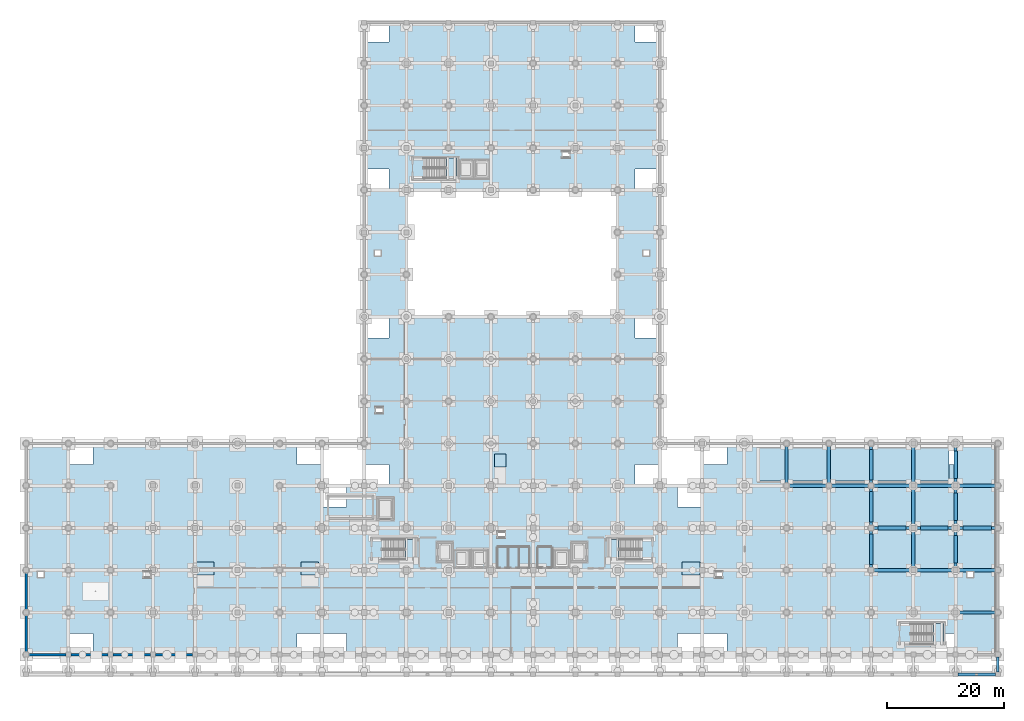
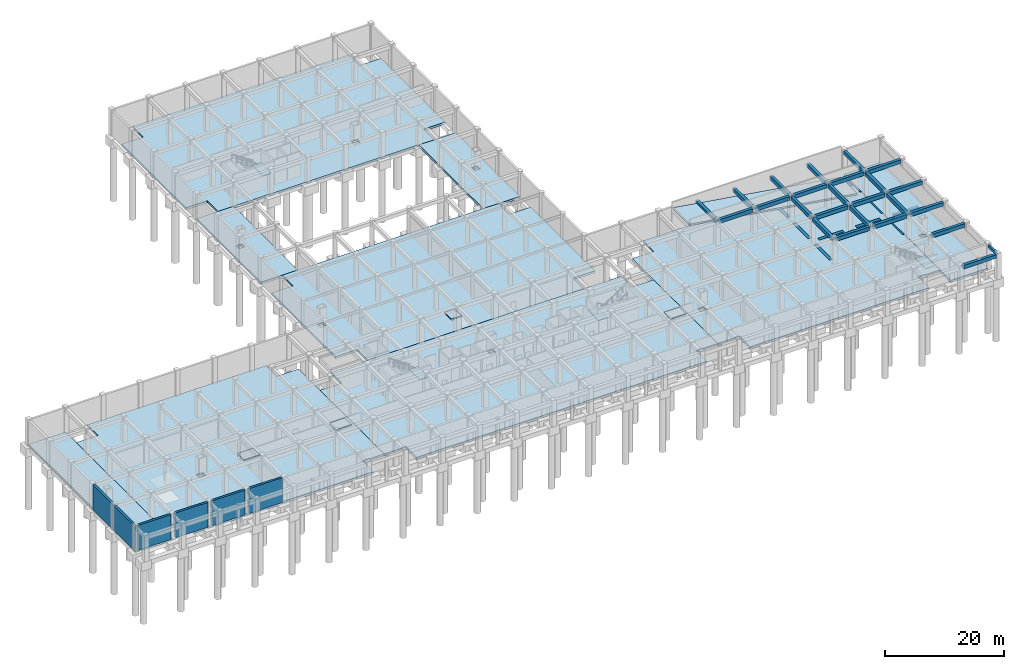
# One storey, part 12 of 26: 34 beams, 18 slabs, 6 walls, 4 elements without a shape of their own.
"""IFC4 building model written with IfcOpenShell, lengths in metres."""

from ifc_helpers import new_model, si_unit, direction, frame, frame_2d, origin, origin_2d, place, context, subcontext, project, spatial, polyline, rectangle, outline, extrude, material, layer, layer_set, material_profile, profile_set, type_object, element, aggregate, save


model = new_model("IFC4")

# Units and contexts
model_context = context("Model", 3, precision=1e-05, world=origin(), true_north=direction((0.0, 1.0)))
body_context = subcontext(model_context, "Body", "Model", "MODEL_VIEW")
ifc_project = project(units=[si_unit("LENGTHUNIT", "METRE"), si_unit("AREAUNIT", "SQUARE_METRE"), si_unit("VOLUMEUNIT", "CUBIC_METRE"), si_unit("PLANEANGLEUNIT", "RADIAN"), si_unit("MASSUNIT", "GRAM", prefix="KILO")], contexts=[model_context])

# Site, building, storey
site_placement = place(None, origin())
site = spatial("IfcSite", under=ifc_project, at=site_placement, CompositionType="ELEMENT")
building_placement = place(site_placement, origin())
building = spatial("IfcBuilding", under=site, at=building_placement, Name="Kazehaya Institute of Natural Sciences", CompositionType="ELEMENT")
storey_placement = place(building_placement, frame((0.0, 0.0, -5.39990234375)))
storey = spatial("IfcBuildingStorey", under=building, at=storey_placement, Name="B1", CompositionType="ELEMENT", Elevation=-5.39990234375)

# Beams
ifc_material_1 = material(Name="Concrete Fc36", Category="concrete")
ifc_material_profile_1 = material_profile(ifc_material_1, rectangle(XDim=0.39990234375, YDim=0.60009765625, at=origin_2d()), Name="RC-400x600")
ifc_profile_set_1 = profile_set([ifc_material_profile_1], Name="Concrete Fc36")
beam_type_1 = type_object("IfcBeamType", Name="BM-B-400x600", PredefinedType="BEAM", material=ifc_profile_set_1)
beam_1_placement = place(storey_placement, frame((169.800048828125, 3.875, 4.81982421875), z_axis=(0.0, 1.0, 0.0), x_axis=(-1.0, 0.0, 0.0)))
element("IfcBeam", 1, at=beam_1_placement, inside=storey, type_object=beam_type_1, Name="B1 primary Y girder BMY-B1-1698-34", PredefinedType="BEAM", context=body_context, shape_type="SweptSolid", body=[
    extrude(rectangle(XDim=0.39990234375, YDim=0.60009765625, at=origin_2d()), origin(), (0.0, 0.0, 1.0), 2.5),
])
ifc_material_profile_2 = material_profile(ifc_material_1, rectangle(XDim=0.550048828125, YDim=0.75, at=origin_2d()), Name="RC-550x750")
ifc_profile_set_2 = profile_set([ifc_material_profile_2], Name="Concrete Fc36")
beam_type_2 = type_object("IfcBeamType", Name="BM-G-550x750", PredefinedType="BEAM", material=ifc_profile_set_2)
for number, where, z_axis, x_axis, name in (
    (2, (163.02490234375, 3.449951171875, 4.744873046875), (1.0, 0.0, 0.0), (0.0, 1.0, 0.0), "B1 primary X girder BMX-B1-1626-34"),
    (3, (163.02490234375, 14.0, 4.744873046875), (1.0, 0.0, 0.0), (0.0, 1.0, 0.0), "B1 primary X girder BMX-B1-1626-140"),
    (4, (148.625, 21.199951171875, 4.744873046875), (1.0, 0.0, 0.0), (0.0, 1.0, 0.0), "B1 primary X girder BMX-B1-1482-212"),
    (5, (155.824951171875, 21.199951171875, 4.744873046875), (1.0, 0.0, 0.0), (0.0, 1.0, 0.0), "B1 primary X girder BMX-B1-1554-212"),
    (6, (163.02490234375, 21.199951171875, 4.744873046875), (1.0, 0.0, 0.0), (0.0, 1.0, 0.0), "B1 primary X girder BMX-B1-1626-212"),
    (7, (148.625, 28.39990234375, 4.744873046875), (1.0, 0.0, 0.0), (0.0, 1.0, 0.0), "B1 primary X girder BMX-B1-1482-284"),
    (8, (155.824951171875, 28.39990234375, 4.744873046875), (1.0, 0.0, 0.0), (0.0, 1.0, 0.0), "B1 primary X girder BMX-B1-1554-284"),
    (9, (163.02490234375, 28.39990234375, 4.744873046875), (1.0, 0.0, 0.0), (0.0, 1.0, 0.0), "B1 primary X girder BMX-B1-1626-284"),
):
    element("IfcBeam", number, at=place(storey_placement, frame(where, z_axis=z_axis, x_axis=x_axis)), inside=storey, type_object=beam_type_2, Name=name, PredefinedType="BEAM", context=body_context, shape_type="SweptSolid", body=[
        extrude(rectangle(XDim=0.550048828125, YDim=0.75, at=origin_2d()), origin(), (0.0, 0.0, 1.0), 6.35009765625),
    ])
for number, where, z_axis, x_axis, name in (
    (10, (134.22509765625, 35.60009765625, 4.744873046875), (1.0, 0.0, 0.0), (0.0, 1.0, 0.0), "B1 primary X girder BMX-B1-1338-356"),
    (11, (141.425048828125, 35.60009765625, 4.744873046875), (1.0, 0.0, 0.0), (0.0, 1.0, 0.0), "B1 primary X girder BMX-B1-1410-356"),
):
    element("IfcBeam", number, at=place(storey_placement, frame(where, z_axis=z_axis, x_axis=x_axis)), inside=storey, type_object=beam_type_2, Name=name, PredefinedType="BEAM", context=body_context, shape_type="SweptSolid", body=[
        extrude(rectangle(XDim=0.550048828125, YDim=0.75, at=origin_2d()), origin(), (0.0, 0.0, 1.0), 6.349853515625),
    ])
for number, where, z_axis, x_axis, name in (
    (12, (148.625, 35.60009765625, 4.744873046875), (1.0, 0.0, 0.0), (0.0, 1.0, 0.0), "B1 primary X girder BMX-B1-1482-356"),
    (13, (155.824951171875, 35.60009765625, 4.744873046875), (1.0, 0.0, 0.0), (0.0, 1.0, 0.0), "B1 primary X girder BMX-B1-1554-356"),
    (14, (163.02490234375, 35.60009765625, 4.744873046875), (1.0, 0.0, 0.0), (0.0, 1.0, 0.0), "B1 primary X girder BMX-B1-1626-356"),
    (15, (133.800048828125, 36.02490234375, 4.744873046875), (0.0, 1.0, 0.0), (-1.0, 0.0, 0.0), "B1 primary Y girder BMY-B1-1338-356"),
    (16, (141.0, 36.02490234375, 4.744873046875), (0.0, 1.0, 0.0), (-1.0, 0.0, 0.0), "B1 primary Y girder BMY-B1-1410-356"),
    (17, (148.199951171875, 21.625, 4.744873046875), (0.0, 1.0, 0.0), (-1.0, 0.0, 0.0), "B1 primary Y girder BMY-B1-1482-212"),
    (18, (148.199951171875, 28.824951171875, 4.744873046875), (0.0, 1.0, 0.0), (-1.0, 0.0, 0.0), "B1 primary Y girder BMY-B1-1482-284"),
    (19, (148.199951171875, 36.02490234375, 4.744873046875), (0.0, 1.0, 0.0), (-1.0, 0.0, 0.0), "B1 primary Y girder BMY-B1-1482-356"),
    (20, (155.39990234375, 21.625, 4.744873046875), (0.0, 1.0, 0.0), (-1.0, 0.0, 0.0), "B1 primary Y girder BMY-B1-1554-212"),
    (21, (155.39990234375, 28.824951171875, 4.744873046875), (0.0, 1.0, 0.0), (-1.0, 0.0, 0.0), "B1 primary Y girder BMY-B1-1554-284"),
    (22, (155.39990234375, 36.02490234375, 4.744873046875), (0.0, 1.0, 0.0), (-1.0, 0.0, 0.0), "B1 primary Y girder BMY-B1-1554-356"),
    (23, (162.60009765625, 21.625, 4.744873046875), (0.0, 1.0, 0.0), (-1.0, 0.0, 0.0), "B1 primary Y girder BMY-B1-1626-212"),
    (24, (162.60009765625, 28.824951171875, 4.744873046875), (0.0, 1.0, 0.0), (-1.0, 0.0, 0.0), "B1 primary Y girder BMY-B1-1626-284"),
    (25, (162.60009765625, 36.02490234375, 4.744873046875), (0.0, 1.0, 0.0), (-1.0, 0.0, 0.0), "B1 primary Y girder BMY-B1-1626-356"),
):
    element("IfcBeam", number, at=place(storey_placement, frame(where, z_axis=z_axis, x_axis=x_axis)), inside=storey, type_object=beam_type_2, Name=name, PredefinedType="BEAM", context=body_context, shape_type="SweptSolid", body=[
        extrude(rectangle(XDim=0.550048828125, YDim=0.75, at=origin_2d()), origin(), (0.0, 0.0, 1.0), 6.35009765625),
    ])
ifc_material_profile_3 = material_profile(ifc_material_1, rectangle(XDim=0.60009765625, YDim=0.89990234375, at=origin_2d()), Name="RC-600x900")
ifc_profile_set_3 = profile_set([ifc_material_profile_3], Name="Concrete Fc36")
beam_type_3 = type_object("IfcBeamType", Name="BM-TB-600x900", PredefinedType="T_BEAM", material=ifc_profile_set_3)
beam_2_placement = place(storey_placement, frame((149.35009765625, 28.39990234375, -0.4501953125), z_axis=(1.0, 0.0, 0.0), x_axis=(0.0, 1.0, 0.0)))
element("IfcBeam", 26, at=beam_2_placement, inside=storey, type_object=beam_type_3, Name="Foundation tie beam TB-X-021", PredefinedType="T_BEAM", context=body_context, shape_type="SweptSolid", body=[
    extrude(rectangle(XDim=0.60009765625, YDim=0.89990234375, at=origin_2d()), origin(), (0.0, 0.0, 1.0), 4.7998046875),
])
beam_3_placement = place(storey_placement, frame((156.64990234375, 28.39990234375, -0.4501953125), z_axis=(1.0, 0.0, 0.0), x_axis=(0.0, 1.0, 0.0)))
element("IfcBeam", 27, at=beam_3_placement, inside=storey, type_object=beam_type_3, Name="Foundation tie beam TB-X-022", PredefinedType="T_BEAM", context=body_context, shape_type="SweptSolid", body=[
    extrude(rectangle(XDim=0.60009765625, YDim=0.89990234375, at=origin_2d()), origin(), (0.0, 0.0, 1.0), 4.675048828125),
])
beam_4_placement = place(storey_placement, frame((163.875, 28.39990234375, -0.4501953125), z_axis=(1.0, 0.0, 0.0), x_axis=(0.0, 1.0, 0.0)))
element("IfcBeam", 28, at=beam_4_placement, inside=storey, type_object=beam_type_3, Name="Foundation tie beam TB-X-023", PredefinedType="T_BEAM", context=body_context, shape_type="SweptSolid", body=[
    extrude(rectangle(XDim=0.60009765625, YDim=0.89990234375, at=origin_2d()), origin(), (0.0, 0.0, 1.0), 4.875),
])
beam_5_placement = place(storey_placement, frame((148.199951171875, 22.199951171875, -0.4501953125), z_axis=(0.0, 1.0, 0.0), x_axis=(-1.0, 0.0, 0.0)))
element("IfcBeam", 29, at=beam_5_placement, inside=storey, type_object=beam_type_3, Name="Foundation tie beam TB-Y-071", PredefinedType="T_BEAM", context=body_context, shape_type="SweptSolid", body=[
    extrude(rectangle(XDim=0.60009765625, YDim=0.89990234375, at=origin_2d()), origin(), (0.0, 0.0, 1.0), 5.199951171875),
])
beam_6_placement = place(storey_placement, frame((148.199951171875, 29.39990234375, -0.4501953125), z_axis=(0.0, 1.0, 0.0), x_axis=(-1.0, 0.0, 0.0)))
element("IfcBeam", 30, at=beam_6_placement, inside=storey, type_object=beam_type_3, Name="Foundation tie beam TB-Y-072", PredefinedType="T_BEAM", context=body_context, shape_type="SweptSolid", body=[
    extrude(rectangle(XDim=0.60009765625, YDim=0.89990234375, at=origin_2d()), origin(), (0.0, 0.0, 1.0), 5.2001953125),
])
beam_7_placement = place(storey_placement, frame((148.199951171875, 36.60009765625, -0.4501953125), z_axis=(0.0, 1.0, 0.0), x_axis=(-1.0, 0.0, 0.0)))
element("IfcBeam", 31, at=beam_7_placement, inside=storey, type_object=beam_type_3, Name="Foundation tie beam TB-Y-073", PredefinedType="T_BEAM", context=body_context, shape_type="SweptSolid", body=[
    extrude(rectangle(XDim=0.60009765625, YDim=0.89990234375, at=origin_2d()), origin(), (0.0, 0.0, 1.0), 5.199951171875),
])
for number, where, z_axis, x_axis, name in (
    (32, (162.60009765625, 22.47509765625, -0.4501953125), (0.0, 1.0, 0.0), (-1.0, 0.0, 0.0), "Foundation tie beam TB-Y-076"),
    (33, (162.60009765625, 29.675048828125, -0.4501953125), (0.0, 1.0, 0.0), (-1.0, 0.0, 0.0), "Foundation tie beam TB-Y-077"),
    (34, (162.60009765625, 36.875, -0.4501953125), (0.0, 1.0, 0.0), (-1.0, 0.0, 0.0), "Foundation tie beam TB-Y-078"),
):
    element("IfcBeam", number, at=place(storey_placement, frame(where, z_axis=z_axis, x_axis=x_axis)), inside=storey, type_object=beam_type_3, Name=name, PredefinedType="T_BEAM", context=body_context, shape_type="SweptSolid", body=[
        extrude(rectangle(XDim=0.60009765625, YDim=0.89990234375, at=origin_2d()), origin(), (0.0, 0.0, 1.0), 4.64990234375),
    ])

# Stair, slab
stair_type = type_object("IfcStairType", Name="STR-DOG-5400", PredefinedType="HALF_TURN_STAIR", material=ifc_material_1)
stair_1_placement = place(storey_placement, origin())
stair_1 = element("IfcStair", 35, at=stair_1_placement, inside=storey, type_object=stair_type, Name="B1 Protected Escape Stair ST-1", PredefinedType="HALF_TURN_STAIR")
ifc_layer_1 = layer(ifc_material_1, 0.159912109375, Name="Concrete Fc36", Category="concrete")
ifc_layer_set_1 = layer_set([ifc_layer_1], Name="Concrete Fc36")
slab_type_1 = type_object("IfcSlabType", Name="SL-LND-160", PredefinedType="LANDING", material=ifc_layer_set_1)
slab_1_placement = place(storey_placement, frame((0.0, 0.0, 2.5)))
slab_1 = element("IfcSlab", 36, at=slab_1_placement, type_object=slab_type_1, Name="ST-1 landing 1", PredefinedType="LANDING", context=body_context, shape_type="SweptSolid", body=[
    extrude(outline(polyline([(68.780029296875, 23.0), (70.5, 23.0), (70.5, 26.47998046875), (68.780029296875, 26.47998046875), (68.780029296875, 23.0)])), origin(), (0.0, 0.0, 1.0), 0.199951171875),
])
aggregate(stair_1, [slab_1])

stair_2_placement = place(storey_placement, origin())
stair_2 = element("IfcStair", 37, at=stair_2_placement, inside=storey, type_object=stair_type, Name="B1 Protected Escape Stair ST-2", PredefinedType="HALF_TURN_STAIR")
slab_2_placement = place(storey_placement, frame((0.0, 0.0, 2.5)))
slab_2 = element("IfcSlab", 38, at=slab_2_placement, type_object=slab_type_1, Name="ST-2 landing 1", PredefinedType="LANDING", context=body_context, shape_type="SweptSolid", body=[
    extrude(outline(polyline([(105.219970703125, 26.47998046875), (103.5, 26.47998046875), (103.5, 23.0), (105.219970703125, 23.0), (105.219970703125, 26.47998046875)])), origin(), (0.0, 0.0, 1.0), 0.199951171875),
])
aggregate(stair_2, [slab_2])

stair_3_placement = place(storey_placement, origin())
stair_3 = element("IfcStair", 39, at=stair_3_placement, inside=storey, type_object=stair_type, Name="B1 Protected Escape Stair ST-3", PredefinedType="HALF_TURN_STAIR")
slab_3_placement = place(storey_placement, frame((0.0, 0.0, 2.5)))
slab_3 = element("IfcSlab", 40, at=slab_3_placement, type_object=slab_type_1, Name="ST-3 landing 1", PredefinedType="LANDING", context=body_context, shape_type="SweptSolid", body=[
    extrude(outline(polyline([(75.780029296875, 88.0), (77.5, 88.0), (77.5, 91.47998046875), (75.780029296875, 91.47998046875), (75.780029296875, 88.0)])), origin(), (0.0, 0.0, 1.0), 0.199951171875),
])
aggregate(stair_3, [slab_3])

stair_4_placement = place(storey_placement, origin())
stair_4 = element("IfcStair", 41, at=stair_4_placement, inside=storey, type_object=stair_type, Name="B1 Protected Escape Stair ST-5", PredefinedType="HALF_TURN_STAIR")
slab_4_placement = place(storey_placement, frame((0.0, 0.0, 2.5)))
slab_4 = element("IfcSlab", 42, at=slab_4_placement, type_object=slab_type_1, Name="ST-5 landing 1", PredefinedType="LANDING", context=body_context, shape_type="SweptSolid", body=[
    extrude(outline(polyline([(158.780029296875, 8.60009765625), (160.5, 8.60009765625), (160.5, 12.080078125), (158.780029296875, 12.080078125), (158.780029296875, 8.60009765625)])), origin(), (0.0, 0.0, 1.0), 0.199951171875),
])
aggregate(stair_4, [slab_4])

# Slabs
ifc_layer_2 = layer(ifc_material_1, 0.4599609375, Name="Concrete Fc36", Category="concrete")
ifc_layer_set_2 = layer_set([ifc_layer_2], Name="Concrete Fc36")
slab_type_2 = type_object("IfcSlabType", Name="SL-MAT-460", PredefinedType="BASESLAB", material=ifc_layer_set_2)
slab_5_placement = place(storey_placement, frame((0.0, 0.0, -0.460205078125)))
element("IfcSlab", 43, at=slab_5_placement, inside=storey, type_object=slab_type_2, Name="B1 structural slab B1-VOL2", PredefinedType="BASESLAB", context=body_context, shape_type="SweptSolid", body=[
    extrude(outline(polyline([(66.0, 35.60009765625), (108.0, 35.60009765625), (108.0, 39.199951171875), (112.199951171875, 39.199951171875), (112.199951171875, 60.800048828125), (108.0, 60.800048828125), (108.0, 64.39990234375), (66.0, 64.39990234375), (66.0, 60.800048828125), (61.800048828125, 60.800048828125), (61.800048828125, 39.199951171875), (66.0, 39.199951171875), (66.0, 35.60009765625)]), holes=[polyline([(63.800048828125, 48.0), (65.0, 48.0), (65.0, 48.89990234375), (63.800048828125, 48.89990234375), (63.800048828125, 48.0)])]), origin(), (0.0, 0.0, 1.0), 0.460205078125),
])
slab_6_placement = place(storey_placement, frame((0.0, 0.0, -0.460205078125)))
element("IfcSlab", 44, at=slab_6_placement, inside=storey, type_object=slab_type_2, Name="B1 structural slab B1-VOL5W", PredefinedType="BASESLAB", context=body_context, shape_type="SweptSolid", body=[
    extrude(outline(polyline([(61.800048828125, 64.39990234375), (69.0, 64.39990234375), (69.0, 86.0), (61.800048828125, 86.0), (61.800048828125, 64.39990234375)]), holes=[polyline([(63.60009765625, 74.800048828125), (64.60009765625, 74.800048828125), (64.60009765625, 75.699951171875), (63.60009765625, 75.699951171875), (63.60009765625, 74.800048828125)])]), origin(), (0.0, 0.0, 1.0), 0.460205078125),
])
slab_7_placement = place(storey_placement, frame((0.0, 0.0, -0.460205078125)))
element("IfcSlab", 45, at=slab_7_placement, inside=storey, type_object=slab_type_2, Name="B1 structural slab B1-VOL5E", PredefinedType="BASESLAB", context=body_context, shape_type="SweptSolid", body=[
    extrude(outline(polyline([(105.0, 64.39990234375), (112.199951171875, 64.39990234375), (112.199951171875, 86.0), (105.0, 86.0), (105.0, 64.39990234375)]), holes=[polyline([(109.39990234375, 74.800048828125), (110.39990234375, 74.800048828125), (110.39990234375, 75.699951171875), (109.39990234375, 75.699951171875), (109.39990234375, 74.800048828125)])]), origin(), (0.0, 0.0, 1.0), 0.460205078125),
])
slab_8_placement = place(storey_placement, frame((0.0, 0.0, -0.460205078125)))
element("IfcSlab", 46, at=slab_8_placement, inside=storey, type_object=slab_type_2, Name="B1 structural slab B1-VOL5N", PredefinedType="BASESLAB", context=body_context, shape_type="SweptSolid", body=[
    extrude(outline(polyline([(66.0, 86.0), (108.0, 86.0), (108.0, 89.60009765625), (112.199951171875, 89.60009765625), (112.199951171875, 111.199951171875), (108.0, 111.199951171875), (108.0, 114.800048828125), (66.0, 114.800048828125), (66.0, 111.199951171875), (61.800048828125, 111.199951171875), (61.800048828125, 89.60009765625), (66.0, 89.60009765625), (66.0, 86.0)]), holes=[polyline([(95.60009765625, 91.60009765625), (96.800048828125, 91.60009765625), (96.800048828125, 92.5), (95.60009765625, 92.5), (95.60009765625, 91.60009765625)])]), origin(), (0.0, 0.0, 1.0), 0.460205078125),
])
ifc_layer_3 = layer(ifc_material_1, 0.47998046875, Name="Concrete Fc36", Category="concrete")
ifc_layer_set_3 = layer_set([ifc_layer_3], Name="Concrete Fc36")
slab_type_3 = type_object("IfcSlabType", Name="SL-MAT-480", PredefinedType="BASESLAB", material=ifc_layer_set_3)
slab_9_placement = place(storey_placement, frame((0.0, 0.0, -0.47998046875)))
element("IfcSlab", 47, at=slab_9_placement, inside=storey, type_object=slab_type_3, Name="B1 structural slab B1-WEST", PredefinedType="BASESLAB", context=body_context, shape_type="SweptSolid", body=[
    extrude(outline(polyline([(4.199951171875, 6.800048828125), (11.39990234375, 6.800048828125), (11.39990234375, 42.800048828125), (4.199951171875, 42.800048828125), (4.199951171875, 6.800048828125)]), holes=[polyline([(6.199951171875, 20.0), (7.199951171875, 20.0), (7.199951171875, 20.89990234375), (6.199951171875, 20.89990234375), (6.199951171875, 20.0)])]), origin(), (0.0, 0.0, 1.0), 0.47998046875),
])
slab_10_placement = place(storey_placement, frame((0.0, 0.0, -0.47998046875)))
element("IfcSlab", 48, at=slab_10_placement, inside=storey, type_object=slab_type_3, Name="B1 structural slab B1-VOL1", PredefinedType="BASESLAB", context=body_context, shape_type="SweptSolid", body=[
    extrude(outline(polyline([(123.60009765625, 6.800048828125), (158.39990234375, 6.800048828125), (158.39990234375, 10.39990234375), (162.60009765625, 10.39990234375), (162.60009765625, 39.199951171875), (158.39990234375, 39.199951171875), (158.39990234375, 42.800048828125), (123.60009765625, 42.800048828125), (123.60009765625, 39.199951171875), (119.39990234375, 39.199951171875), (119.39990234375, 10.39990234375), (123.60009765625, 10.39990234375), (123.60009765625, 6.800048828125)]), holes=[polyline([(121.60009765625, 20.0), (122.800048828125, 20.0), (122.800048828125, 20.89990234375), (121.60009765625, 20.89990234375), (121.60009765625, 20.0)])]), origin(), (0.0, 0.0, 1.0), 0.47998046875),
])
slab_11_placement = place(storey_placement, frame((0.0, 0.0, -0.47998046875)))
element("IfcSlab", 49, at=slab_11_placement, inside=storey, type_object=slab_type_3, Name="B1 structural slab B1-EAST", PredefinedType="BASESLAB", context=body_context, shape_type="SweptSolid", body=[
    extrude(outline(polyline([(162.60009765625, 6.800048828125), (169.800048828125, 6.800048828125), (169.800048828125, 42.800048828125), (162.60009765625, 42.800048828125), (162.60009765625, 6.800048828125)]), holes=[polyline([(164.60009765625, 20.0), (165.60009765625, 20.0), (165.60009765625, 20.89990234375), (164.60009765625, 20.89990234375), (164.60009765625, 20.0)])]), origin(), (0.0, 0.0, 1.0), 0.47998046875),
])
ifc_layer_4 = layer(ifc_material_1, 0.5, Name="Concrete Fc36", Category="concrete")
ifc_layer_set_4 = layer_set([ifc_layer_4], Name="Concrete Fc36")
slab_type_4 = type_object("IfcSlabType", Name="SL-MAT-500", PredefinedType="BASESLAB", material=ifc_layer_set_4)
slab_12_placement = place(storey_placement, frame((0.0, 0.0, -0.5)))
element("IfcSlab", 50, at=slab_12_placement, inside=storey, type_object=slab_type_4, Name="B1 structural slab B1-VOL3", PredefinedType="BASESLAB", context=body_context, shape_type="SweptSolid", body=[
    extrude(outline(polyline([(15.60009765625, 6.800048828125), (50.39990234375, 6.800048828125), (50.39990234375, 10.39990234375), (54.60009765625, 10.39990234375), (54.60009765625, 39.199951171875), (50.39990234375, 39.199951171875), (50.39990234375, 42.800048828125), (15.60009765625, 42.800048828125), (15.60009765625, 39.199951171875), (11.39990234375, 39.199951171875), (11.39990234375, 10.39990234375), (15.60009765625, 10.39990234375), (15.60009765625, 6.800048828125)]), holes=[polyline([(24.199951171875, 20.0), (25.39990234375, 20.0), (25.39990234375, 20.89990234375), (24.199951171875, 20.89990234375), (24.199951171875, 20.0)])]), origin(), (0.0, 0.0, 1.0), 0.5),
])
slab_13_placement = place(storey_placement, frame((0.0, 0.0, -0.5)))
element("IfcSlab", 51, at=slab_13_placement, inside=storey, type_object=slab_type_4, Name="B1 structural slab B1-VOL4", PredefinedType="BASESLAB", context=body_context, shape_type="SweptSolid", body=[
    extrude(outline(polyline([(58.800048828125, 6.800048828125), (115.199951171875, 6.800048828125), (115.199951171875, 10.39990234375), (119.39990234375, 10.39990234375), (119.39990234375, 32.0), (115.199951171875, 32.0), (115.199951171875, 35.60009765625), (58.800048828125, 35.60009765625), (58.800048828125, 32.0), (54.60009765625, 32.0), (54.60009765625, 10.39990234375), (58.800048828125, 10.39990234375), (58.800048828125, 6.800048828125)]), holes=[polyline([(84.60009765625, 26.800048828125), (85.800048828125, 26.800048828125), (85.800048828125, 27.699951171875), (84.60009765625, 27.699951171875), (84.60009765625, 26.800048828125)])]), origin(), (0.0, 0.0, 1.0), 0.5),
])
ifc_material_2 = material(Name="Concrete Fc42", Category="concrete")
ifc_layer_5 = layer(ifc_material_2, 0.304931640625, Name="Concrete Fc42", Category="concrete")
ifc_layer_set_5 = layer_set([ifc_layer_5], Name="Concrete Fc42")
slab_type_5 = type_object("IfcSlabType", Name="SL-RMP-305", PredefinedType="FLOOR", material=ifc_layer_set_5)
slab_14_placement = place(storey_placement, frame((129.0, 36.39990234375, 5.39990234375), z_axis=(0.154876731692, 0.0, 0.987933802428), x_axis=(0.987933802428, 0.0, -0.154876731692)))
element("IfcSlab", 52, at=slab_14_placement, inside=storey, type_object=slab_type_5, Name="B1 to L00 structural vehicle ramp slab SLAB-VEH-RAMP-B1", PredefinedType="FLOOR", context=body_context, shape_type="SweptSolid", body=[
    extrude(outline(polyline([(0.0, 0.0), (32.89694098948567, 0.0), (32.89694098948567, 5.600097656249999), (0.0, 5.600097656249999), (0.0, 0.0)])), origin(), (0.0, 0.0, -1.0), 0.304931640625),
])
ifc_layer_6 = layer(ifc_material_1, 0.2099609375, Name="Concrete Fc36", Category="concrete")
ifc_layer_set_6 = layer_set([ifc_layer_6], Name="Concrete Fc36")
slab_type_6 = type_object("IfcSlabType", Name="SL-TER-210", PredefinedType="FLOOR", material=ifc_layer_set_6)
slab_15_placement = place(storey_placement, origin())
element("IfcSlab", 53, at=slab_15_placement, inside=storey, type_object=slab_type_6, Name="B1 raised metrology threshold landing slab RAMP-ACC-01", PredefinedType="FLOOR", context=body_context, shape_type="SweptSolid", body=[
    extrude(outline(polyline([(33.199951171875, 20.39990234375), (36.199951171875, 20.39990234375), (36.199951171875, 22.60009765625), (33.199951171875, 22.60009765625), (33.199951171875, 20.39990234375)])), origin(), (0.0, 0.0, 1.0), 0.2099609375),
])
slab_16_placement = place(storey_placement, origin())
element("IfcSlab", 54, at=slab_16_placement, inside=storey, type_object=slab_type_6, Name="B1 raised metrology threshold landing slab RAMP-ACC-02", PredefinedType="FLOOR", context=body_context, shape_type="SweptSolid", body=[
    extrude(outline(polyline([(51.0, 20.39990234375), (54.0, 20.39990234375), (54.0, 22.60009765625), (51.0, 22.60009765625), (51.0, 20.39990234375)])), origin(), (0.0, 0.0, 1.0), 0.2099609375),
])
slab_17_placement = place(storey_placement, origin())
element("IfcSlab", 55, at=slab_17_placement, inside=storey, type_object=slab_type_6, Name="B1 raised metrology threshold landing slab RAMP-ACC-03", PredefinedType="FLOOR", context=body_context, shape_type="SweptSolid", body=[
    extrude(outline(polyline([(84.0, 38.800048828125), (86.0, 38.800048828125), (86.0, 41.0), (84.0, 41.0), (84.0, 38.800048828125)])), origin(), (0.0, 0.0, 1.0), 0.2099609375),
])
slab_18_placement = place(storey_placement, origin())
element("IfcSlab", 56, at=slab_18_placement, inside=storey, type_object=slab_type_6, Name="B1 raised metrology threshold landing slab RAMP-ACC-04", PredefinedType="FLOOR", context=body_context, shape_type="SweptSolid", body=[
    extrude(outline(polyline([(116.0, 20.39990234375), (119.0, 20.39990234375), (119.0, 22.60009765625), (116.0, 22.60009765625), (116.0, 20.39990234375)])), origin(), (0.0, 0.0, 1.0), 0.2099609375),
])

# Walls
ifc_layer_7 = layer(ifc_material_2, 0.419921875, Name="Concrete Fc42", Category="concrete")
ifc_layer_set_7 = layer_set([ifc_layer_7], Name="Concrete Fc42")
wall_type = type_object("IfcWallType", Name="WL-RET-420", PredefinedType="USERDEFINED", material=ifc_layer_set_7)
wall_placement = place(storey_placement, frame((32.590087890625, 6.800048828125, 0.0), z_axis=(0.0, 0.0, 1.0), x_axis=(-1.0, 0.0, 0.0)))
element("IfcWall", 57, at=wall_placement, inside=storey, type_object=wall_type, Name="B1 exterior wall EW-B1-0020", ObjectType="RETAININGWALL", PredefinedType="USERDEFINED", context=body_context, shape_type="SweptSolid", body=[
    extrude(rectangle(XDim=6.380126953125, YDim=0.419921875, at=frame_2d((3.18994140625, 0.0))), origin(), (0.0, 0.0, 1.0), 5.119873046875),
])
for number, where, z_axis, x_axis, name in (
    (58, (25.389892578125, 6.800048828125, 0.0), (0.0, 0.0, 1.0), (-1.0, 0.0, 0.0), "B1 exterior wall EW-B1-0021"),
    (59, (18.18994140625, 6.800048828125, 0.0), (0.0, 0.0, 1.0), (-1.0, 0.0, 0.0), "B1 exterior wall EW-B1-0022"),
    (60, (10.989990234375, 6.800048828125, 0.0), (0.0, 0.0, 1.0), (-1.0, 0.0, 0.0), "B1 exterior wall EW-B1-0023"),
):
    element("IfcWall", number, at=place(storey_placement, frame(where, z_axis=z_axis, x_axis=x_axis)), inside=storey, type_object=wall_type, Name=name, ObjectType="RETAININGWALL", PredefinedType="USERDEFINED", context=body_context, shape_type="SweptSolid", body=[
        extrude(rectangle(XDim=6.3798828125, YDim=0.419921875, at=frame_2d((3.18994140625, 0.0))), origin(), (0.0, 0.0, 1.0), 5.119873046875),
    ])
for number, where, z_axis, x_axis, name in (
    (61, (4.199951171875, 7.2099609375, 0.0), (0.0, 0.0, 1.0), (0.0, 1.0, 0.0), "B1 exterior wall EW-B1-0024"),
    (62, (4.199951171875, 14.409912109375, 0.0), (0.0, 0.0, 1.0), (0.0, 1.0, 0.0), "B1 exterior wall EW-B1-0025"),
):
    element("IfcWall", number, at=place(storey_placement, frame(where, z_axis=z_axis, x_axis=x_axis)), inside=storey, type_object=wall_type, Name=name, ObjectType="RETAININGWALL", PredefinedType="USERDEFINED", context=body_context, shape_type="SweptSolid", body=[
        extrude(rectangle(XDim=6.380126953125, YDim=0.419921875, at=frame_2d((3.18994140625, 0.0))), origin(), (0.0, 0.0, 1.0), 5.119873046875),
    ])

save(model, "model.ifc")
